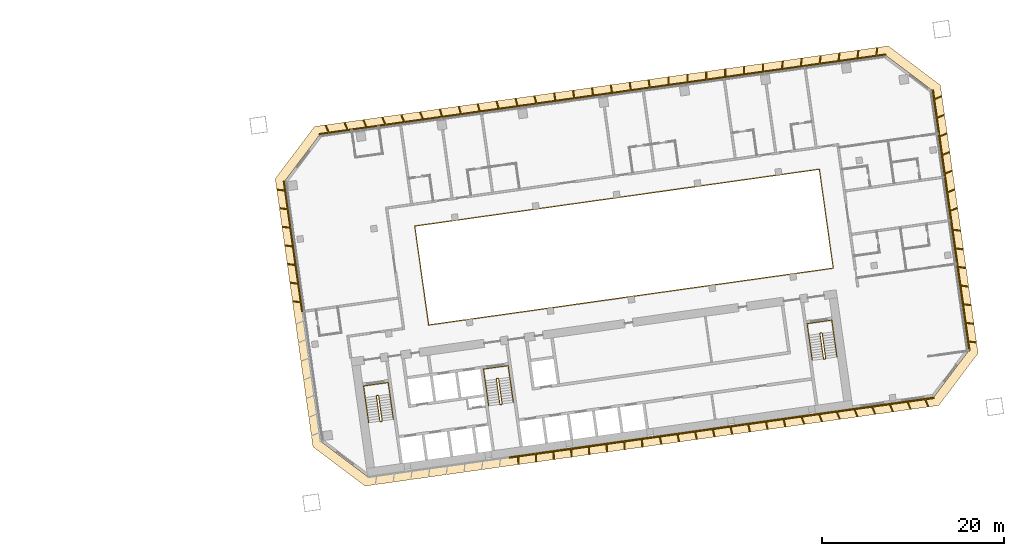
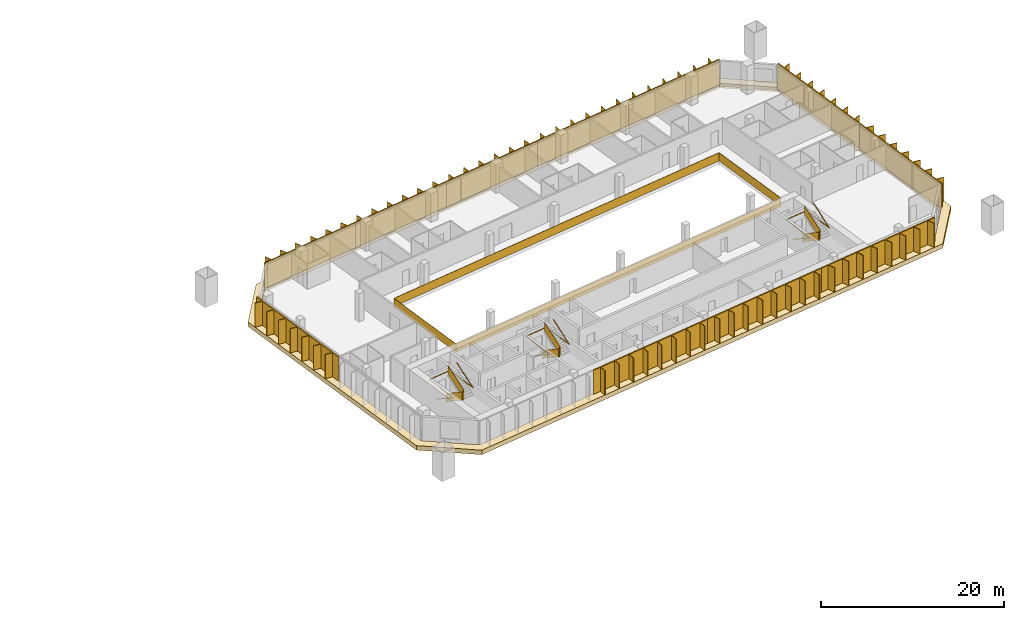
# One storey, part 24 of 24: 11 shading devices, 7 railings, 1 covering.
"""IFC4 building model written with IfcOpenShell, lengths in metres."""

from ifc_helpers import new_model, si_unit, direction, frame, origin, origin_2d, place, context, subcontext, project, spatial, polyline, rectangle, outline, extrude, material, layer, layer_set, type_object, element, save


model = new_model("IFC4")

# Units and contexts
model_context = context("Model", 3, precision=1e-05, world=origin(), true_north=direction((0.0, 1.0)))
body_context = subcontext(model_context, "Body", "Model", "MODEL_VIEW")
ifc_project = project(units=[si_unit("LENGTHUNIT", "METRE"), si_unit("AREAUNIT", "SQUARE_METRE"), si_unit("VOLUMEUNIT", "CUBIC_METRE"), si_unit("PLANEANGLEUNIT", "RADIAN"), si_unit("MASSUNIT", "GRAM", prefix="KILO")], contexts=[model_context])

# Site, building, storey
site_placement = place(None, origin())
site = spatial("IfcSite", under=ifc_project, at=site_placement, CompositionType="ELEMENT")
building_placement = place(site_placement, origin())
building = spatial("IfcBuilding", under=site, at=building_placement, Name="Mirante Cascada Hotel Towers", CompositionType="ELEMENT")
storey_placement = place(building_placement, frame((0.0, 0.0, 77.5)))
storey = spatial("IfcBuildingStorey", under=building, at=storey_placement, Name="L16", CompositionType="ELEMENT", Elevation=77.5)

# Railing
ifc_material_1 = material(Name="Toughened glass with stainless steel handrail", Category="steel")
railing_type_1 = type_object("IfcRailingType", Name="Atrium guard 1100 glass balustrade", PredefinedType="GUARDRAIL", material=ifc_material_1)
railing_1_placement = place(storey_placement, frame((43.8418, -3.4881, 0.0)))
element("IfcRailing", 1, at=railing_1_placement, inside=storey, type_object=railing_type_1, Name="GUARD 2-L16-1", PredefinedType="GUARDRAIL", context=body_context, shape_type="SweptSolid", body=[
    extrude(rectangle(XDim=0.048, YDim=0.048, at=origin_2d()), frame((0.0, 0.0, 1.076), z_axis=(0.9902681, 0.1391732, 0.0), x_axis=(-0.1391732, 0.9902681, 0.0)), (0.0, 0.0, 1.0), 45.0),
    extrude(rectangle(XDim=0.02, YDim=1.052, at=origin_2d()), frame((0.0, 0.0, 0.526), z_axis=(0.9902681, 0.1391732, 0.0), x_axis=(-0.1391732, 0.9902681, 0.0)), (0.0, 0.0, 1.0), 45.0),
    extrude(rectangle(XDim=0.048, YDim=0.048, at=origin_2d()), frame((44.5621, 6.2628, 1.076), z_axis=(-0.1391721, 0.9902682, 0.0), x_axis=(-0.9902682, -0.1391721, 0.0)), (0.0, 0.0, 1.0), 11.0001),
    extrude(rectangle(XDim=0.02, YDim=1.052, at=origin_2d()), frame((44.5621, 6.2628, 0.526), z_axis=(-0.1391721, 0.9902682, 0.0), x_axis=(-0.9902682, -0.1391721, 0.0)), (0.0, 0.0, 1.0), 11.0001),
    extrude(rectangle(XDim=0.048, YDim=0.048, at=origin_2d()), frame((43.0312, 17.1558, 1.076), z_axis=(-0.9902681, -0.1391732, 0.0), x_axis=(0.1391732, -0.9902681, 0.0)), (0.0, 0.0, 1.0), 45.0),
    extrude(rectangle(XDim=0.02, YDim=1.052, at=origin_2d()), frame((43.0312, 17.1558, 0.526), z_axis=(-0.9902681, -0.1391732, 0.0), x_axis=(0.1391732, -0.9902681, 0.0)), (0.0, 0.0, 1.0), 45.0),
    extrude(rectangle(XDim=0.048, YDim=0.048, at=origin_2d()), frame((-1.5309, 10.893, 1.076), z_axis=(0.1391721, -0.9902682, 0.0), x_axis=(0.9902682, 0.1391721, 0.0)), (0.0, 0.0, 1.0), 11.0001),
    extrude(rectangle(XDim=0.02, YDim=1.052, at=origin_2d()), frame((-1.5309, 10.893, 0.526), z_axis=(0.1391721, -0.9902682, 0.0), x_axis=(0.9902682, 0.1391721, 0.0)), (0.0, 0.0, 1.0), 11.0001),
])

# Covering
ifc_material_2 = material(Name="Precast concrete C40/50 white", Category="concrete")
ifc_layer = layer(ifc_material_2, 0.6)
ifc_layer_set = layer_set([ifc_layer], Name="Precast concrete SUNSHADE band 1000x600")
covering_type = type_object("IfcCoveringType", Name="Precast concrete SUNSHADE band 1000x600", PredefinedType="CLADDING", material=ifc_layer_set)
covering_placement = place(storey_placement, frame((0.0, 0.0, -0.45)))
element("IfcCovering", 2, at=covering_placement, inside=storey, type_object=covering_type, Name="Precast concrete SUNSHADE band T2 L16", PredefinedType="CLADDING", context=body_context, shape_type="SweptSolid", body=[
    extrude(outline(polyline([(26.9341, 12.6299), (31.2626, 18.374), (94.4698, 27.2572), (100.2139, 22.9287), (104.3652, -6.6094), (100.0367, -12.3535), (36.8295, -21.2367), (31.0854, -16.9082), (26.9341, 12.6299)]), holes=[polyline([(103.3173, -6.3384), (99.2813, 22.3794), (94.1988, 26.2093), (31.8119, 17.4414), (27.982, 12.3589), (32.018, -16.3589), (37.1005, -20.1888), (99.4874, -11.4209), (103.3173, -6.3384)])]), origin(), (0.0, 0.0, 1.0), 0.6),
])

# Railings
ifc_material_3 = material(Name="Painted steel", Category="steel")
railing_type_2 = type_object("IfcRailingType", Name="Stair guard 1100 steel balustrade", PredefinedType="GUARDRAIL", material=ifc_material_3)
railing_2_placement = place(storey_placement, frame((38.2663, -11.2395, 0.0)))
element("IfcRailing", 3, at=railing_2_placement, inside=storey, type_object=railing_type_2, Name="L16 ST2-A stair guard 1", PredefinedType="GUARDRAIL", context=body_context, shape_type="SweptSolid", body=[
    extrude(rectangle(XDim=0.048, YDim=0.048, at=origin_2d()), frame((0.0, 0.0, 1.076), z_axis=(-0.9903326, -0.1387133, 0.0), x_axis=(0.1387133, -0.9903326, 0.0)), (0.0, 0.0, 1.0), 0.1499),
    extrude(rectangle(XDim=0.02, YDim=1.052, at=origin_2d()), frame((0.0, 0.0, 0.526), z_axis=(-0.9903326, -0.1387133, 0.0), x_axis=(0.1387133, -0.9903326, 0.0)), (0.0, 0.0, 1.0), 0.1499),
    extrude(rectangle(XDim=0.048, YDim=0.048, at=origin_2d()), frame((-0.1485, -0.0208, 1.076), z_axis=(-0.6020331, -0.7984711, 0.0), x_axis=(0.7984711, -0.6020331, 0.0)), (0.0, 0.9253398, 0.3791387), 0.1866),
    extrude(rectangle(XDim=0.02, YDim=1.052, at=origin_2d()), frame((-0.1485, -0.0208, 0.526), z_axis=(-0.6020331, -0.7984711, 0.0), x_axis=(0.7984711, -0.6020331, 0.0)), (0.0, 0.9253398, 0.3791387), 0.1866),
    extrude(rectangle(XDim=0.048, YDim=0.048, at=origin_2d()), frame((-0.1911, -0.0773, 1.2487), z_axis=(0.139176, -0.9902677, 0.0), x_axis=(0.9902677, 0.139176, 0.0)), (0.0, 0.5250212, 0.8510891), 3.29),
    extrude(rectangle(XDim=0.02, YDim=1.052, at=origin_2d()), frame((-0.1911, -0.0773, 0.6987), z_axis=(0.139176, -0.9902677, 0.0), x_axis=(0.9902677, 0.139176, 0.0)), (0.0, 0.5250212, 0.8510891), 3.29),
    extrude(rectangle(XDim=0.048, YDim=0.048, at=origin_2d()), frame((0.1986, -2.8501, 2.976), z_axis=(0.9944948, -0.1047858, 0.0), x_axis=(0.1047858, 0.9944948, 0.0)), (0.0, 0.0, 1.0), 0.2061),
    extrude(rectangle(XDim=0.02, YDim=1.052, at=origin_2d()), frame((0.1986, -2.8501, 2.426), z_axis=(0.9944948, -0.1047858, 0.0), x_axis=(0.1047858, 0.9944948, 0.0)), (0.0, 0.0, 1.0), 0.2061),
    extrude(rectangle(XDim=0.048, YDim=0.048, at=origin_2d()), frame((0.4036, -2.8717, 2.976), z_axis=(-0.9902408, -0.1393672, 0.0), x_axis=(0.1393672, -0.9902408, 0.0)), (0.0, 0.0, 1.0), 0.15),
    extrude(rectangle(XDim=0.02, YDim=1.052, at=origin_2d()), frame((0.4036, -2.8717, 2.426), z_axis=(-0.9902408, -0.1393672, 0.0), x_axis=(0.1393672, -0.9902408, 0.0)), (0.0, 0.0, 1.0), 0.15),
    extrude(rectangle(XDim=0.048, YDim=0.048, at=origin_2d()), frame((0.2551, -2.8926, 2.976), z_axis=(0.9270311, 0.3749843, 0.0), x_axis=(-0.3749843, 0.9270311, 0.0)), (0.0, 0.6421903, 0.7665452), 0.2689),
    extrude(rectangle(XDim=0.02, YDim=1.052, at=origin_2d()), frame((0.2551, -2.8926, 2.426), z_axis=(0.9270311, 0.3749843, 0.0), x_axis=(-0.3749843, 0.9270311, 0.0)), (0.0, 0.6421903, 0.7665452), 0.2689),
    extrude(rectangle(XDim=0.048, YDim=0.048, at=origin_2d()), frame((0.4462, -2.8153, 3.1487), z_axis=(-0.139176, 0.9902677, 0.0), x_axis=(-0.9902677, -0.139176, 0.0)), (0.0, 0.5250212, 0.8510891), 3.29),
    extrude(rectangle(XDim=0.02, YDim=1.052, at=origin_2d()), frame((0.4462, -2.8153, 2.5987), z_axis=(-0.139176, 0.9902677, 0.0), x_axis=(-0.9902677, -0.139176, 0.0)), (0.0, 0.5250212, 0.8510891), 3.29),
])
railing_3_placement = place(storey_placement, frame((51.4864, -9.3815, 0.0)))
element("IfcRailing", 4, at=railing_3_placement, inside=storey, type_object=railing_type_2, Name="L16 ST2-B stair guard 1", PredefinedType="GUARDRAIL", context=body_context, shape_type="SweptSolid", body=[
    extrude(rectangle(XDim=0.048, YDim=0.048, at=origin_2d()), frame((0.0, 0.0, 1.076), z_axis=(-0.9902408, -0.1393672, 0.0), x_axis=(0.1393672, -0.9902408, 0.0)), (0.0, 0.0, 1.0), 0.15),
    extrude(rectangle(XDim=0.02, YDim=1.052, at=origin_2d()), frame((0.0, 0.0, 0.526), z_axis=(-0.9902408, -0.1393672, 0.0), x_axis=(0.1393672, -0.9902408, 0.0)), (0.0, 0.0, 1.0), 0.15),
    extrude(rectangle(XDim=0.048, YDim=0.048, at=origin_2d()), frame((-0.1485, -0.0209, 1.076), z_axis=(-0.6020331, -0.7984711, 0.0), x_axis=(0.7984711, -0.6020331, 0.0)), (0.0, 0.9253398, 0.3791387), 0.1866),
    extrude(rectangle(XDim=0.02, YDim=1.052, at=origin_2d()), frame((-0.1485, -0.0209, 0.526), z_axis=(-0.6020331, -0.7984711, 0.0), x_axis=(0.7984711, -0.6020331, 0.0)), (0.0, 0.9253398, 0.3791387), 0.1866),
    extrude(rectangle(XDim=0.048, YDim=0.048, at=origin_2d()), frame((-0.1911, -0.0774, 1.2487), z_axis=(0.139181, -0.990267, 0.0), x_axis=(0.990267, 0.139181, 0.0)), (0.0, 0.5250347, 0.8510808), 3.2899),
    extrude(rectangle(XDim=0.02, YDim=1.052, at=origin_2d()), frame((-0.1911, -0.0774, 0.6987), z_axis=(0.139181, -0.990267, 0.0), x_axis=(0.990267, 0.139181, 0.0)), (0.0, 0.5250347, 0.8510808), 3.2899),
    extrude(rectangle(XDim=0.048, YDim=0.048, at=origin_2d()), frame((0.1986, -2.8501, 2.976), z_axis=(0.9944441, -0.1052656, 0.0), x_axis=(0.1052656, 0.9944441, 0.0)), (0.0, 0.0, 1.0), 0.2061),
    extrude(rectangle(XDim=0.02, YDim=1.052, at=origin_2d()), frame((0.1986, -2.8501, 2.426), z_axis=(0.9944441, -0.1052656, 0.0), x_axis=(0.1052656, 0.9944441, 0.0)), (0.0, 0.0, 1.0), 0.2061),
    extrude(rectangle(XDim=0.048, YDim=0.048, at=origin_2d()), frame((0.4036, -2.8718, 2.976), z_axis=(-0.9902408, -0.1393672, 0.0), x_axis=(0.1393672, -0.9902408, 0.0)), (0.0, 0.0, 1.0), 0.15),
    extrude(rectangle(XDim=0.02, YDim=1.052, at=origin_2d()), frame((0.4036, -2.8718, 2.426), z_axis=(-0.9902408, -0.1393672, 0.0), x_axis=(0.1393672, -0.9902408, 0.0)), (0.0, 0.0, 1.0), 0.15),
    extrude(rectangle(XDim=0.048, YDim=0.048, at=origin_2d()), frame((0.2551, -2.8927, 2.976), z_axis=(0.9268624, 0.3754011, 0.0), x_axis=(-0.3754011, 0.9268624, 0.0)), (0.0, 0.6421217, 0.7666028), 0.269),
    extrude(rectangle(XDim=0.02, YDim=1.052, at=origin_2d()), frame((0.2551, -2.8927, 2.426), z_axis=(0.9268624, 0.3754011, 0.0), x_axis=(-0.3754011, 0.9268624, 0.0)), (0.0, 0.6421217, 0.7666028), 0.269),
    extrude(rectangle(XDim=0.048, YDim=0.048, at=origin_2d()), frame((0.4462, -2.8153, 3.1487), z_axis=(-0.139181, 0.990267, 0.0), x_axis=(-0.990267, -0.139181, 0.0)), (0.0, 0.5250347, 0.8510808), 3.2899),
    extrude(rectangle(XDim=0.02, YDim=1.052, at=origin_2d()), frame((0.4462, -2.8153, 2.5987), z_axis=(-0.139181, 0.990267, 0.0), x_axis=(-0.990267, -0.139181, 0.0)), (0.0, 0.5250347, 0.8510808), 3.2899),
])
railing_4_placement = place(storey_placement, frame((87.1361, -4.3713, 0.0)))
element("IfcRailing", 5, at=railing_4_placement, inside=storey, type_object=railing_type_2, Name="L16 ST2-C stair guard 1", PredefinedType="GUARDRAIL", context=body_context, shape_type="SweptSolid", body=[
    extrude(rectangle(XDim=0.048, YDim=0.048, at=origin_2d()), frame((0.0, 0.0, 1.076), z_axis=(-0.9902537, -0.1392753, 0.0), x_axis=(0.1392753, -0.9902537, 0.0)), (0.0, 0.0, 1.0), 0.1501),
    extrude(rectangle(XDim=0.02, YDim=1.052, at=origin_2d()), frame((0.0, 0.0, 0.526), z_axis=(-0.9902537, -0.1392753, 0.0), x_axis=(0.1392753, -0.9902537, 0.0)), (0.0, 0.0, 1.0), 0.1501),
    extrude(rectangle(XDim=0.048, YDim=0.048, at=origin_2d()), frame((-0.1486, -0.0209, 1.076), z_axis=(-0.601811, -0.7986386, 0.0), x_axis=(0.7986386, -0.601811, 0.0)), (0.0, 0.925603, 0.3784959), 0.1866),
    extrude(rectangle(XDim=0.02, YDim=1.052, at=origin_2d()), frame((-0.1486, -0.0209, 0.526), z_axis=(-0.601811, -0.7986386, 0.0), x_axis=(0.7986386, -0.601811, 0.0)), (0.0, 0.925603, 0.3784959), 0.1866),
    extrude(rectangle(XDim=0.048, YDim=0.048, at=origin_2d()), frame((-0.1911, -0.0773, 1.2487), z_axis=(0.139176, -0.9902677, 0.0), x_axis=(0.9902677, 0.139176, 0.0)), (0.0, 0.5250212, 0.8510891), 3.29),
    extrude(rectangle(XDim=0.02, YDim=1.052, at=origin_2d()), frame((-0.1911, -0.0773, 0.6987), z_axis=(0.139176, -0.9902677, 0.0), x_axis=(0.9902677, 0.139176, 0.0)), (0.0, 0.5250212, 0.8510891), 3.29),
    extrude(rectangle(XDim=0.048, YDim=0.048, at=origin_2d()), frame((0.1986, -2.8501, 2.976), z_axis=(0.9944441, -0.1052656, 0.0), x_axis=(0.1052656, 0.9944441, 0.0)), (0.0, 0.0, 1.0), 0.2061),
    extrude(rectangle(XDim=0.02, YDim=1.052, at=origin_2d()), frame((0.1986, -2.8501, 2.426), z_axis=(0.9944441, -0.1052656, 0.0), x_axis=(0.1052656, 0.9944441, 0.0)), (0.0, 0.0, 1.0), 0.2061),
    extrude(rectangle(XDim=0.048, YDim=0.048, at=origin_2d()), frame((0.4036, -2.8718, 2.976), z_axis=(-0.9903454, -0.1386217, 0.0), x_axis=(0.1386217, -0.9903454, 0.0)), (0.0, 0.0, 1.0), 0.15),
    extrude(rectangle(XDim=0.02, YDim=1.052, at=origin_2d()), frame((0.4036, -2.8718, 2.426), z_axis=(-0.9903454, -0.1386217, 0.0), x_axis=(0.1386217, -0.9903454, 0.0)), (0.0, 0.0, 1.0), 0.15),
    extrude(rectangle(XDim=0.048, YDim=0.048, at=origin_2d()), frame((0.255, -2.8926, 2.976), z_axis=(0.9270311, 0.3749843, 0.0), x_axis=(-0.3749843, 0.9270311, 0.0)), (0.0, 0.6421903, 0.7665452), 0.2689),
    extrude(rectangle(XDim=0.02, YDim=1.052, at=origin_2d()), frame((0.255, -2.8926, 2.426), z_axis=(0.9270311, 0.3749843, 0.0), x_axis=(-0.3749843, 0.9270311, 0.0)), (0.0, 0.6421903, 0.7665452), 0.2689),
    extrude(rectangle(XDim=0.048, YDim=0.048, at=origin_2d()), frame((0.4461, -2.8153, 3.1487), z_axis=(-0.139176, 0.9902677, 0.0), x_axis=(-0.9902677, -0.139176, 0.0)), (0.0, 0.5250212, 0.8510891), 3.29),
    extrude(rectangle(XDim=0.02, YDim=1.052, at=origin_2d()), frame((0.4461, -2.8153, 2.5987), z_axis=(-0.139176, 0.9902677, 0.0), x_axis=(-0.9902677, -0.139176, 0.0)), (0.0, 0.5250212, 0.8510891), 3.29),
])
ifc_material_4 = material(Name="Painted steel", Category="steel")
railing_type_3 = type_object("IfcRailingType", Name="Stair handrail 900 steel tube", PredefinedType="HANDRAIL", material=ifc_material_4)
railing_5_placement = place(storey_placement, frame((36.8374, -11.4908, 0.1727)))
element("IfcRailing", 6, at=railing_5_placement, inside=storey, type_object=railing_type_3, Name="L16 ST2-A stair handrail 1", PredefinedType="HANDRAIL", context=body_context, shape_type="SweptSolid", body=[
    extrude(rectangle(XDim=0.048, YDim=0.048, at=origin_2d()), frame((0.0, 0.0, 0.876), z_axis=(0.139181, -0.990267, 0.0), x_axis=(0.990267, 0.139181, 0.0)), (0.0, 0.5250347, 0.8510808), 3.2899),
    extrude(rectangle(XDim=0.048, YDim=0.048, at=origin_2d()), frame((0.3897, -2.7727, 2.6033), z_axis=(-0.1391707, 0.9902684, 0.0), x_axis=(-0.9902684, -0.1391707, 0.0)), (0.0, 0.0420846, 0.999114), 4.1036),
    extrude(rectangle(XDim=0.048, YDim=0.048, at=origin_2d()), frame((-0.1809, 1.2874, 2.776), z_axis=(0.9902691, 0.1391657, 0.0), x_axis=(-0.1391657, 0.9902691, 0.0)), (0.0, 0.0, 1.0), 2.75),
    extrude(rectangle(XDim=0.048, YDim=0.048, at=origin_2d()), frame((2.5423, 1.6701, 2.776), z_axis=(0.1391707, -0.9902684, 0.0), x_axis=(0.9902684, 0.1391707, 0.0)), (0.0, 0.0, 1.0), 4.1),
    extrude(rectangle(XDim=0.048, YDim=0.048, at=origin_2d()), frame((3.1129, -2.39, 2.776), z_axis=(-0.139181, 0.990267, 0.0), x_axis=(-0.990267, -0.139181, 0.0)), (0.0, 0.5250347, 0.8510808), 3.2899),
])
railing_6_placement = place(storey_placement, frame((50.0575, -9.6328, 0.1727)))
element("IfcRailing", 7, at=railing_6_placement, inside=storey, type_object=railing_type_3, Name="L16 ST2-B stair handrail 1", PredefinedType="HANDRAIL", context=body_context, shape_type="SweptSolid", body=[
    extrude(rectangle(XDim=0.048, YDim=0.048, at=origin_2d()), frame((0.0, 0.0, 0.876), z_axis=(0.139176, -0.9902677, 0.0), x_axis=(0.9902677, 0.139176, 0.0)), (0.0, 0.5250212, 0.8510891), 3.29),
    extrude(rectangle(XDim=0.048, YDim=0.048, at=origin_2d()), frame((0.3897, -2.7728, 2.6033), z_axis=(-0.1391707, 0.9902684, 0.0), x_axis=(-0.9902684, -0.1391707, 0.0)), (0.0, 0.0420846, 0.999114), 4.1036),
    extrude(rectangle(XDim=0.048, YDim=0.048, at=origin_2d()), frame((-0.1809, 1.2873, 2.776), z_axis=(0.9902641, 0.1392013, 0.0), x_axis=(-0.1392013, 0.9902641, 0.0)), (0.0, 0.0, 1.0), 2.75),
    extrude(rectangle(XDim=0.048, YDim=0.048, at=origin_2d()), frame((2.5423, 1.6701, 2.776), z_axis=(0.1391707, -0.9902684, 0.0), x_axis=(0.9902684, 0.1391707, 0.0)), (0.0, 0.0, 1.0), 4.1),
    extrude(rectangle(XDim=0.048, YDim=0.048, at=origin_2d()), frame((3.1129, -2.39, 2.776), z_axis=(-0.139181, 0.990267, 0.0), x_axis=(-0.990267, -0.139181, 0.0)), (0.0, 0.5250347, 0.8510808), 3.2899),
])
railing_7_placement = place(storey_placement, frame((85.7071, -4.6226, 0.1727)))
element("IfcRailing", 8, at=railing_7_placement, inside=storey, type_object=railing_type_3, Name="L16 ST2-C stair handrail 1", PredefinedType="HANDRAIL", context=body_context, shape_type="SweptSolid", body=[
    extrude(rectangle(XDim=0.048, YDim=0.048, at=origin_2d()), frame((0.0, 0.0, 0.876), z_axis=(0.139181, -0.990267, 0.0), x_axis=(0.990267, 0.139181, 0.0)), (0.0, 0.5250347, 0.8510808), 3.2899),
    extrude(rectangle(XDim=0.048, YDim=0.048, at=origin_2d()), frame((0.3897, -2.7727, 2.6033), z_axis=(-0.1391707, 0.9902684, 0.0), x_axis=(-0.9902684, -0.1391707, 0.0)), (0.0, 0.0420846, 0.999114), 4.1036),
    extrude(rectangle(XDim=0.048, YDim=0.048, at=origin_2d()), frame((-0.1809, 1.2874, 2.776), z_axis=(0.9902691, 0.1391657, 0.0), x_axis=(-0.1391657, 0.9902691, 0.0)), (0.0, 0.0, 1.0), 2.75),
    extrude(rectangle(XDim=0.048, YDim=0.048, at=origin_2d()), frame((2.5423, 1.6701, 2.776), z_axis=(0.1391947, -0.990265, 0.0), x_axis=(0.990265, 0.1391947, 0.0)), (0.0, 0.0, 1.0), 4.1),
    extrude(rectangle(XDim=0.048, YDim=0.048, at=origin_2d()), frame((3.113, -2.39, 2.776), z_axis=(-0.139181, 0.990267, 0.0), x_axis=(-0.990267, -0.139181, 0.0)), (0.0, 0.5250347, 0.8510808), 3.2899),
])

# Shading devices
ifc_material_5 = material(Name="White precast concrete C50/60 fin", Category="concrete")
shading_device_type = type_object("IfcShadingDeviceType", Name="Vertical fin set 4500x900", PredefinedType="USERDEFINED", material=ifc_material_5)
shading_device_1_placement = place(storey_placement, origin())
element("IfcShadingDevice", 9, at=shading_device_1_placement, inside=storey, type_object=shading_device_type, Name="FIN T2 L16 front 1", ObjectType="FIN", PredefinedType="USERDEFINED", context=body_context, shape_type="SweptSolid", body=[
    extrude(outline(polyline([(82.8967, 25.5893), (82.7946, 24.758), (84.7922, 25.0387), (84.8968, 25.8913), (84.9762, 25.8815), (84.8742, 25.0503), (86.8717, 25.331), (86.9764, 26.1835), (87.0558, 26.1738), (86.9537, 25.3425), (88.9513, 25.6233), (89.056, 26.4758), (89.1354, 26.4661), (89.0333, 25.6348), (91.0308, 25.9155), (91.1355, 26.7681), (91.2149, 26.7583), (91.1129, 25.9271), (93.1104, 26.2078), (93.2151, 27.0603), (93.2945, 27.0506), (93.1924, 26.2193), (94.1779, 26.3578), (94.1988, 26.2093), (81.7214, 24.4557), (81.7006, 24.6042), (82.7126, 24.7465), (82.8173, 25.599), (82.8967, 25.5893)])), origin(), (0.0, 0.0, 1.0), 3.35),
])
shading_device_2_placement = place(storey_placement, origin())
element("IfcShadingDevice", 10, at=shading_device_2_placement, inside=storey, type_object=shading_device_type, Name="FIN T2 L16 front 2", ObjectType="FIN", PredefinedType="USERDEFINED", context=body_context, shape_type="SweptSolid", body=[
    extrude(outline(polyline([(70.3021, 23.8476), (70.3094, 23.0033), (72.3091, 23.2844), (72.3016, 24.1392), (72.3816, 24.1399), (72.389, 23.2956), (74.3886, 23.5766), (74.3812, 24.4314), (74.4612, 24.4321), (74.4686, 23.5878), (76.4682, 23.8689), (76.4608, 24.7237), (76.5407, 24.7244), (76.5481, 23.8801), (78.5478, 24.1611), (78.5403, 25.0159), (78.6203, 25.0166), (78.6277, 24.1724), (80.6273, 24.4534), (80.6199, 25.3082), (80.6999, 25.3089), (80.7072, 24.4646), (81.7006, 24.6042), (81.7214, 24.4557), (69.2441, 22.7021), (69.2232, 22.8507), (70.2295, 22.9921), (70.2221, 23.8469), (70.3021, 23.8476)])), origin(), (0.0, 0.0, 1.0), 3.35),
])
shading_device_3_placement = place(storey_placement, origin())
element("IfcShadingDevice", 11, at=shading_device_3_placement, inside=storey, type_object=shading_device_type, Name="FIN T2 L16 front 3", ObjectType="FIN", PredefinedType="USERDEFINED", context=body_context, shape_type="SweptSolid", body=[
    extrude(outline(polyline([(57.7069, 22.0905), (57.8252, 21.2488), (59.8255, 21.5299), (59.7072, 22.3716), (59.7865, 22.3828), (59.9048, 21.541), (61.9051, 21.8222), (61.7868, 22.6639), (61.866, 22.675), (61.9843, 21.8333), (63.9847, 22.1144), (63.8664, 22.9562), (63.9456, 22.9673), (64.0639, 22.1256), (66.0642, 22.4067), (65.9459, 23.2484), (66.0251, 23.2596), (66.1434, 22.4178), (68.1438, 22.699), (68.0255, 23.5407), (68.1047, 23.5518), (68.223, 22.7101), (69.2232, 22.8507), (69.2441, 22.7021), (56.7667, 20.9485), (56.7458, 21.0971), (57.746, 21.2376), (57.6277, 22.0794), (57.7069, 22.0905)])), origin(), (0.0, 0.0, 1.0), 3.35),
])
shading_device_4_placement = place(storey_placement, origin())
element("IfcShadingDevice", 12, at=shading_device_4_placement, inside=storey, type_object=shading_device_type, Name="FIN T2 L16 front 4", ObjectType="FIN", PredefinedType="USERDEFINED", context=body_context, shape_type="SweptSolid", body=[
    extrude(outline(polyline([(45.1132, 20.3181), (45.3416, 19.4943), (47.3413, 19.7754), (47.1157, 20.589), (47.1928, 20.6103), (47.4212, 19.7866), (49.4209, 20.0676), (49.1952, 20.8812), (49.2723, 20.9026), (49.5008, 20.0789), (51.5004, 20.3599), (51.2748, 21.1735), (51.3519, 21.1949), (51.5803, 20.3711), (53.58, 20.6521), (53.3544, 21.4657), (53.4314, 21.4871), (53.6599, 20.6634), (55.6595, 20.9444), (55.4339, 21.758), (55.511, 21.7794), (55.7394, 20.9556), (56.7458, 21.0971), (56.7667, 20.9485), (44.2893, 19.195), (44.2684, 19.3435), (45.2617, 19.4831), (45.0361, 20.2967), (45.1132, 20.3181)])), origin(), (0.0, 0.0, 1.0), 3.35),
])
shading_device_5_placement = place(storey_placement, origin())
element("IfcShadingDevice", 13, at=shading_device_5_placement, inside=storey, type_object=shading_device_type, Name="FIN T2 L16 front 5", ObjectType="FIN", PredefinedType="USERDEFINED", context=body_context, shape_type="SweptSolid", body=[
    extrude(outline(polyline([(32.5229, 18.5306), (32.8586, 17.7399), (34.8561, 18.0207), (34.5289, 18.7916), (34.6025, 18.8229), (34.9381, 18.0322), (36.9357, 18.3129), (36.6084, 19.0839), (36.6821, 19.1151), (37.0177, 18.3245), (39.0152, 18.6052), (38.688, 19.3761), (38.7616, 19.4074), (39.0973, 18.6167), (41.0948, 18.8975), (40.7676, 19.6684), (40.8412, 19.6997), (41.1768, 18.909), (43.1744, 19.1897), (42.8471, 19.9607), (42.9208, 19.9919), (43.2564, 19.2013), (44.2684, 19.3435), (44.2893, 19.195), (31.8119, 17.4414), (31.791, 17.5899), (32.7765, 17.7284), (32.4493, 18.4994), (32.5229, 18.5306)])), origin(), (0.0, 0.0, 1.0), 3.35),
])
shading_device_6_placement = place(storey_placement, origin())
element("IfcShadingDevice", 14, at=shading_device_6_placement, inside=storey, type_object=shading_device_type, Name="FIN T2 L16 inner 1", ObjectType="FIN", PredefinedType="USERDEFINED", context=body_context, shape_type="SweptSolid", body=[
    extrude(outline(polyline([(28.8684, -0.8389), (29.6997, -0.941), (29.4229, 1.0283), (28.5704, 1.133), (28.5801, 1.2124), (29.4114, 1.1103), (29.1346, 3.0796), (28.2821, 3.1842), (28.2918, 3.2636), (29.1231, 3.1616), (28.8464, 5.1308), (27.9938, 5.2355), (28.0036, 5.3149), (28.8348, 5.2128), (28.5581, 7.1821), (27.7055, 7.2868), (27.7153, 7.3662), (28.5465, 7.2641), (28.2698, 9.2334), (27.4172, 9.338), (27.427, 9.4174), (28.2583, 9.3154), (27.9815, 11.2846), (27.1289, 11.3893), (27.1387, 11.4687), (27.97, 11.3667), (27.8334, 12.338), (27.982, 12.3589), (30.0, -2.0), (29.8515, -2.0209), (29.7112, -1.023), (28.8587, -0.9183), (28.8684, -0.8389)])), origin(), (0.0, 0.0, 1.0), 3.35),
])
shading_device_7_placement = place(storey_placement, origin())
element("IfcShadingDevice", 15, at=shading_device_7_placement, inside=storey, type_object=shading_device_type, Name="FIN T2 L16 outer 1", ObjectType="FIN", PredefinedType="USERDEFINED", context=body_context, shape_type="SweptSolid", body=[
    extrude(outline(polyline([(104.1606, -5.4483), (103.3293, -5.3462), (103.4659, -6.3175), (103.3173, -6.3384), (101.2993, 8.0205), (101.4478, 8.0413), (101.5881, 7.0434), (102.4406, 6.9388), (102.4309, 6.8594), (101.5996, 6.9614), (101.8764, 4.9922), (102.7289, 4.8875), (102.7192, 4.8081), (101.8879, 4.9102), (102.1647, 2.9409), (103.0172, 2.8362), (103.0075, 2.7568), (102.1762, 2.8589), (102.4529, 0.8896), (103.3055, 0.785), (103.2957, 0.7056), (102.4645, 0.8076), (102.7412, -1.1616), (103.5938, -1.2663), (103.584, -1.3457), (102.7528, -1.2436), (103.0295, -3.2129), (103.8821, -3.3176), (103.8723, -3.397), (103.041, -3.2949), (103.3178, -5.2642), (104.1704, -5.3689), (104.1606, -5.4483)])), origin(), (0.0, 0.0, 1.0), 3.35),
])
shading_device_8_placement = place(storey_placement, origin())
element("IfcShadingDevice", 16, at=shading_device_8_placement, inside=storey, type_object=shading_device_type, Name="FIN T2 L16 outer 2", ObjectType="FIN", PredefinedType="USERDEFINED", context=body_context, shape_type="SweptSolid", body=[
    extrude(outline(polyline([(102.0983, 9.3749), (101.3076, 9.0392), (101.4478, 8.0413), (101.2993, 8.0205), (99.2813, 22.3794), (99.4298, 22.4002), (99.5663, 21.4289), (100.3373, 21.7561), (100.3685, 21.6825), (99.5779, 21.3469), (99.8546, 19.3776), (100.6256, 19.7048), (100.6568, 19.6312), (99.8662, 19.2956), (100.1429, 17.3263), (100.9139, 17.6536), (100.9451, 17.5799), (100.1544, 17.2443), (100.4312, 15.2751), (101.2021, 15.6023), (101.2334, 15.5287), (100.4427, 15.193), (100.7195, 13.2238), (101.4904, 13.551), (101.5217, 13.4774), (100.731, 13.1418), (101.0078, 11.1725), (101.7787, 11.4998), (101.81, 11.4261), (101.0193, 11.0905), (101.2961, 9.1212), (102.067, 9.4485), (102.0983, 9.3749)])), origin(), (0.0, 0.0, 1.0), 3.35),
])
shading_device_9_placement = place(storey_placement, origin())
element("IfcShadingDevice", 17, at=shading_device_9_placement, inside=storey, type_object=shading_device_type, Name="FIN T2 L16 rear 2", ObjectType="FIN", PredefinedType="USERDEFINED", context=body_context, shape_type="SweptSolid", body=[
    extrude(outline(polyline([(53.6931, -18.8597), (53.6488, -18.0146), (52.7181, -18.1454), (52.6972, -17.9968), (68.2939, -15.8049), (68.3148, -15.9534), (67.3755, -16.0854), (67.4201, -16.9376), (67.3402, -16.9417), (67.2959, -16.0966), (65.4259, -16.3594), (65.4705, -17.2116), (65.3906, -17.2157), (65.3463, -16.3706), (63.4763, -16.6334), (63.5209, -17.4856), (63.441, -17.4897), (63.3967, -16.6446), (61.5267, -16.9074), (61.5713, -17.7596), (61.4914, -17.7637), (61.4472, -16.9186), (59.5771, -17.1814), (59.6217, -18.0335), (59.5419, -18.0377), (59.4976, -17.1926), (57.6275, -17.4554), (57.6722, -18.3075), (57.5923, -18.3117), (57.548, -17.4666), (55.6779, -17.7294), (55.7226, -18.5815), (55.6427, -18.5857), (55.5984, -17.7406), (53.7283, -18.0034), (53.773, -18.8555), (53.6931, -18.8597)])), origin(), (0.0, 0.0, 1.0), 3.35),
])
shading_device_10_placement = place(storey_placement, origin())
element("IfcShadingDevice", 18, at=shading_device_10_placement, inside=storey, type_object=shading_device_type, Name="FIN T2 L16 rear 3", ObjectType="FIN", PredefinedType="USERDEFINED", context=body_context, shape_type="SweptSolid", body=[
    extrude(outline(polyline([(69.4461, -16.6528), (69.2542, -15.8214), (68.3148, -15.9534), (68.2939, -15.8049), (83.8907, -13.6129), (83.9115, -13.7614), (82.9808, -13.8922), (83.1712, -14.7168), (83.0933, -14.7348), (82.9013, -13.9034), (81.0312, -14.1662), (81.2216, -14.9908), (81.1437, -15.0088), (80.9517, -14.1774), (79.0817, -14.4402), (79.272, -15.2648), (79.1941, -15.2828), (79.0021, -14.4514), (77.1321, -14.7142), (77.3224, -15.5388), (77.2445, -15.5568), (77.0525, -14.7254), (75.1825, -14.9882), (75.3729, -15.8128), (75.2949, -15.8308), (75.103, -14.9994), (73.2329, -15.2622), (73.4233, -16.0868), (73.3453, -16.1048), (73.1534, -15.2734), (71.2833, -15.5362), (71.4737, -16.3608), (71.3957, -16.3788), (71.2038, -15.5474), (69.3337, -15.8102), (69.5241, -16.6348), (69.4461, -16.6528)])), origin(), (0.0, 0.0, 1.0), 3.35),
])
shading_device_11_placement = place(storey_placement, origin())
element("IfcShadingDevice", 19, at=shading_device_11_placement, inside=storey, type_object=shading_device_type, Name="FIN T2 L16 rear 4", ObjectType="FIN", PredefinedType="USERDEFINED", context=body_context, shape_type="SweptSolid", body=[
    extrude(outline(polyline([(85.1942, -14.419), (84.8586, -13.6283), (83.9115, -13.7614), (83.8907, -13.6129), (99.4874, -11.4209), (99.5083, -11.5694), (98.5877, -11.6988), (98.915, -12.4698), (98.8413, -12.501), (98.5057, -11.7103), (96.6381, -11.9728), (96.9654, -12.7438), (96.8918, -12.775), (96.5561, -11.9843), (94.6886, -12.2468), (95.0158, -13.0178), (94.9422, -13.049), (94.6065, -12.2583), (92.739, -12.5208), (93.0662, -13.2918), (92.9926, -13.323), (92.657, -12.5323), (90.7894, -12.7948), (91.1166, -13.5657), (91.043, -13.597), (90.7074, -12.8063), (88.8398, -13.0688), (89.167, -13.8397), (89.0934, -13.871), (88.7578, -13.0803), (86.8902, -13.3428), (87.2174, -14.1137), (87.1438, -14.145), (86.8082, -13.3543), (84.9406, -13.6168), (85.2679, -14.3877), (85.1942, -14.419)])), origin(), (0.0, 0.0, 1.0), 3.35),
])

save(model, "model.ifc")
